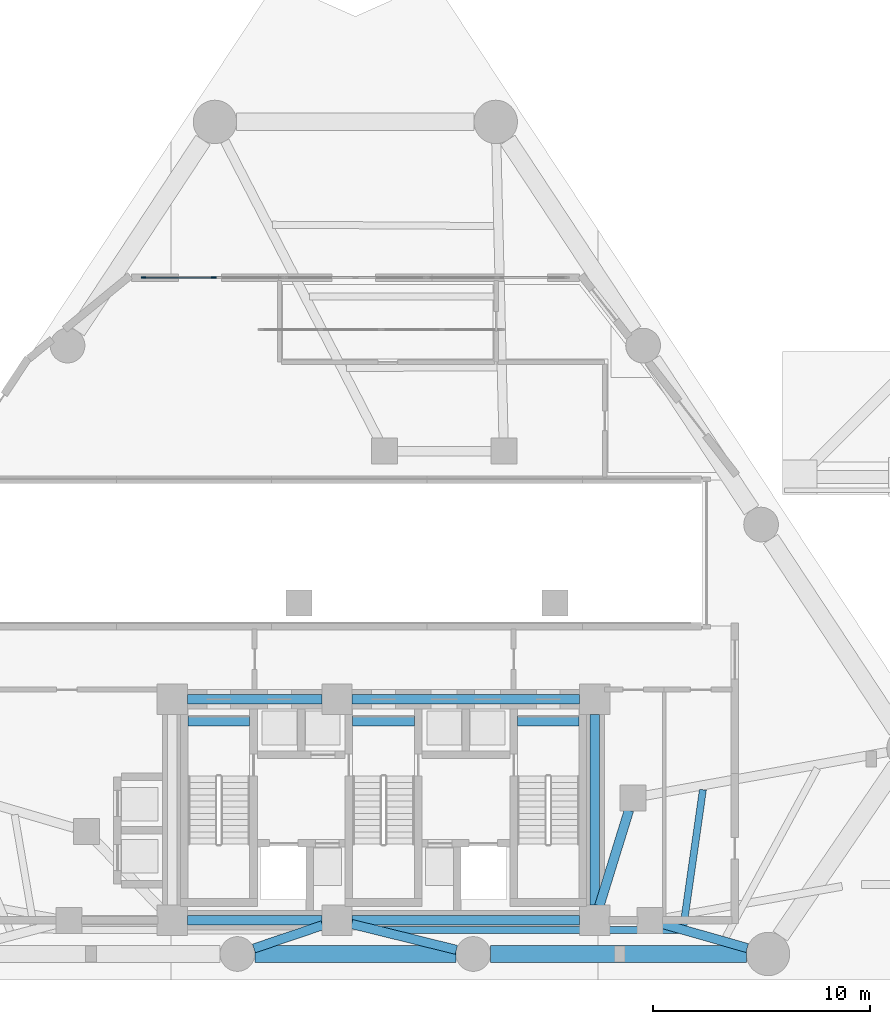
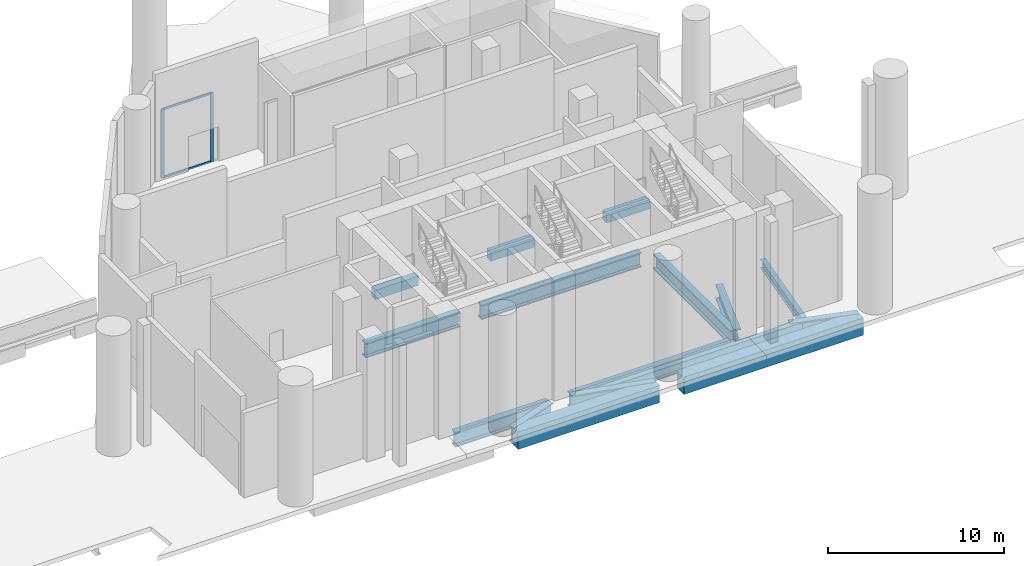
# One storey, part 2 of 12: 16 beams, 4 members, 1 element without a shape of its own.
"""IFC4 building model written with IfcOpenShell, lengths in metres."""

from ifc_helpers import new_model, si_unit, direction, frame, origin, origin_2d, place, context, subcontext, project, spatial, rectangle, i_section, extrude, material, layer, layer_set, material_profile, profile_set, type_object, element, aggregate, save


model = new_model("IFC4")

# Units and contexts
model_context = context("Model", 3, precision=1e-05, world=origin(), true_north=direction((0.0, 1.0)))
body_context = subcontext(model_context, "Body", "Model", "MODEL_VIEW")
ifc_project = project(units=[si_unit("LENGTHUNIT", "METRE"), si_unit("AREAUNIT", "SQUARE_METRE"), si_unit("VOLUMEUNIT", "CUBIC_METRE"), si_unit("PLANEANGLEUNIT", "RADIAN"), si_unit("MASSUNIT", "GRAM", prefix="KILO")], contexts=[model_context])

# Site, building, storey
site_placement = place(None, origin())
site = spatial("IfcSite", under=ifc_project, at=site_placement, CompositionType="ELEMENT")
building_placement = place(site_placement, origin())
building = spatial("IfcBuilding", under=site, at=building_placement, Name="Almagre Mirador Tower", CompositionType="ELEMENT")
storey_placement = place(building_placement, origin())
storey = spatial("IfcBuildingStorey", under=building, at=storey_placement, Name="L00", CompositionType="ELEMENT", Elevation=0.0)

# Beams
ifc_material_1 = material(Name="Steel ASTM A992 Grade 50", Category="steel")
ifc_material_profile_1 = material_profile(ifc_material_1, i_section(OverallWidth=0.323974609375, OverallDepth=0.611083984375, WebThickness=0.0126953125, FlangeThickness=0.01904296875, FilletRadius=0.02001953125, at=origin_2d()), Name="W24X104")
ifc_profile_set_1 = profile_set([ifc_material_profile_1], Name="Steel ASTM A992 Grade 50")
beam_type_1 = type_object("IfcBeamType", Name="BM-JST-W24X104", PredefinedType="JOIST", material=ifc_profile_set_1)
beam_1_placement = place(storey_placement, frame((37.20166015625, 4.096923828125, -0.60546875), z_axis=(0.99999877032, 0.001568234162, 0.0), x_axis=(-0.001568234162, 0.99999877032, 0.0)))
element("IfcBeam", 1, at=beam_1_placement, inside=storey, type_object=beam_type_1, Name="L00 secondary floor joist PC03-PC04.3", PredefinedType="JOIST", context=body_context, shape_type="SweptSolid", body=[
    extrude(i_section(OverallWidth=0.323974609375, OverallDepth=0.611083984375, WebThickness=0.0126953125, FlangeThickness=0.01904296875, FilletRadius=0.02001953125, at=origin_2d()), origin(), (0.0, 0.0, 1.0), 13.69970703125),
])
beam_2_placement = place(storey_placement, frame((51.143310546875, 4.32861328125, -0.60546875), z_axis=(0.141226451712, 0.989977317587, 0.0), x_axis=(-0.989977317587, 0.141226451712, 0.0)))
element("IfcBeam", 2, at=beam_2_placement, inside=storey, type_object=beam_type_1, Name="L00 secondary floor joist PC04-PC05.3", PredefinedType="JOIST", context=body_context, shape_type="SweptSolid", body=[
    extrude(i_section(OverallWidth=0.323974609375, OverallDepth=0.611083984375, WebThickness=0.0126953125, FlangeThickness=0.01904296875, FilletRadius=0.02001953125, at=origin_2d()), origin(), (0.0, 0.0, 1.0), 6.313232421875),
])
ifc_material_2 = material(Name="Precast concrete C50/60", Category="concrete")
ifc_material_profile_2 = material_profile(ifc_material_2, rectangle(XDim=0.800048828125, YDim=1.199951171875, at=origin_2d()), Name="RC800X1200")
ifc_profile_set_2 = profile_set([ifc_material_profile_2], Name="Precast concrete C50/60")
beam_type_2 = type_object("IfcBeamType", Name="BM-SPN-RC800X1200", PredefinedType="SPANDREL", material=ifc_profile_set_2)
beam_3_placement = place(storey_placement, frame((31.360107421875, 3.0, -0.89990234375), z_axis=(1.0, 0.0, 0.0), x_axis=(0.0, 1.0, 0.0)))
element("IfcBeam", 3, at=beam_3_placement, inside=storey, type_object=beam_type_2, Name="L00 perimeter spandrel beam PC02-PC03", PredefinedType="SPANDREL", context=body_context, shape_type="SweptSolid", body=[
    extrude(rectangle(XDim=0.800048828125, YDim=1.199951171875, at=origin_2d()), origin(), (0.0, 0.0, 1.0), 9.27978515625),
])
beam_4_placement = place(storey_placement, frame((42.239990234375, 3.0, -0.89990234375), z_axis=(1.0, 0.0, 0.0), x_axis=(0.0, 1.0, 0.0)))
element("IfcBeam", 4, at=beam_4_placement, inside=storey, type_object=beam_type_2, Name="L00 perimeter spandrel beam PC03-PC04", PredefinedType="SPANDREL", context=body_context, shape_type="SweptSolid", body=[
    extrude(rectangle(XDim=0.800048828125, YDim=1.199951171875, at=origin_2d()), origin(), (0.0, 0.0, 1.0), 11.800048828125),
])
ifc_material_3 = material(Name="Steel ASTM A992 Grade 50", Category="steel")
ifc_material_profile_3 = material_profile(ifc_material_3, i_section(OverallWidth=0.43701171875, OverallDepth=1.010986328125, WebThickness=0.041015625, FlangeThickness=0.073974609375, FilletRadius=0.028076171875, at=origin_2d()), Name="W36X529")
ifc_profile_set_3 = profile_set([ifc_material_profile_3], Name="Steel ASTM A992 Grade 50")
beam_type_3 = type_object("IfcBeamType", Name="BM-STL-W36X529", PredefinedType="BEAM", material=ifc_profile_set_3)
beam_5_placement = place(storey_placement, frame((28.25, 4.550048828125, -0.805419921875), z_axis=(1.0, 0.0, 0.0), x_axis=(0.0, 1.0, 0.0)))
element("IfcBeam", 5, at=beam_5_placement, inside=storey, type_object=beam_type_3, Name="L00 core tie girder CC1-CC2", PredefinedType="BEAM", context=body_context, shape_type="SweptSolid", body=[
    extrude(i_section(OverallWidth=0.43701171875, OverallDepth=1.010986328125, WebThickness=0.041015625, FlangeThickness=0.073974609375, FilletRadius=0.028076171875, at=origin_2d()), origin(), (0.0, 0.0, 1.0), 6.199951171875),
])
beam_6_placement = place(storey_placement, frame((35.85009765625, 4.550048828125, -0.805419921875), z_axis=(1.0, 0.0, 0.0), x_axis=(0.0, 1.0, 0.0)))
element("IfcBeam", 6, at=beam_6_placement, inside=storey, type_object=beam_type_3, Name="L00 core tie girder CC2-CC3", PredefinedType="BEAM", context=body_context, shape_type="SweptSolid", body=[
    extrude(i_section(OverallWidth=0.43701171875, OverallDepth=1.010986328125, WebThickness=0.041015625, FlangeThickness=0.073974609375, FilletRadius=0.028076171875, at=origin_2d()), origin(), (0.0, 0.0, 1.0), 10.5),
])
beam_7_placement = place(storey_placement, frame((28.25, 14.75, -0.805419921875), z_axis=(1.0, 0.0, 0.0), x_axis=(0.0, 1.0, 0.0)))
element("IfcBeam", 7, at=beam_7_placement, inside=storey, type_object=beam_type_3, Name="L00 core tie girder CC4-CC5", PredefinedType="BEAM", context=body_context, shape_type="SweptSolid", body=[
    extrude(i_section(OverallWidth=0.43701171875, OverallDepth=1.010986328125, WebThickness=0.041015625, FlangeThickness=0.073974609375, FilletRadius=0.028076171875, at=origin_2d()), origin(), (0.0, 0.0, 1.0), 6.199951171875),
])
beam_8_placement = place(storey_placement, frame((35.85009765625, 14.75, -0.805419921875), z_axis=(1.0, 0.0, 0.0), x_axis=(0.0, 1.0, 0.0)))
element("IfcBeam", 8, at=beam_8_placement, inside=storey, type_object=beam_type_3, Name="L00 core tie girder CC5-CC6", PredefinedType="BEAM", context=body_context, shape_type="SweptSolid", body=[
    extrude(i_section(OverallWidth=0.43701171875, OverallDepth=1.010986328125, WebThickness=0.041015625, FlangeThickness=0.073974609375, FilletRadius=0.028076171875, at=origin_2d()), origin(), (0.0, 0.0, 1.0), 10.5),
])
beam_9_placement = place(storey_placement, frame((47.050048828125, 5.25, -0.805419921875), z_axis=(0.0, 1.0, 0.0), x_axis=(-1.0, 0.0, 0.0)))
element("IfcBeam", 9, at=beam_9_placement, inside=storey, type_object=beam_type_3, Name="L00 core tie girder CC3-CC6", PredefinedType="BEAM", context=body_context, shape_type="SweptSolid", body=[
    extrude(i_section(OverallWidth=0.43701171875, OverallDepth=1.010986328125, WebThickness=0.041015625, FlangeThickness=0.073974609375, FilletRadius=0.028076171875, at=origin_2d()), origin(), (0.0, 0.0, 1.0), 8.800048828125),
])
beam_10_placement = place(storey_placement, frame((48.62255859375, 9.626953125, -0.805419921875), z_axis=(-0.295888328273, -0.955222538046, 0.0), x_axis=(0.955222538046, -0.295888328273, 0.0)))
element("IfcBeam", 10, at=beam_10_placement, inside=storey, type_object=beam_type_3, Name="L00 core tie girder MC3-CC3", PredefinedType="BEAM", context=body_context, shape_type="SweptSolid", body=[
    extrude(i_section(OverallWidth=0.43701171875, OverallDepth=1.010986328125, WebThickness=0.041015625, FlangeThickness=0.073974609375, FilletRadius=0.028076171875, at=origin_2d()), origin(), (0.0, 0.0, 1.0), 4.61474609375),
])
ifc_material_4 = material(Name="Steel ASTM A913 Grade 65", Category="steel")
ifc_material_profile_4 = material_profile(ifc_material_4, i_section(OverallWidth=0.424072265625, OverallDepth=1.092041015625, WebThickness=0.04541015625, FlangeThickness=0.08203125, FilletRadius=0.030029296875, at=origin_2d()), Name="W40X593")
ifc_profile_set_4 = profile_set([ifc_material_profile_4], Name="Steel ASTM A913 Grade 65")
beam_type_4 = type_object("IfcBeamType", Name="BM-STL-W40X593", PredefinedType="BEAM", material=ifc_profile_set_4)
beam_11_placement = place(storey_placement, frame((31.318115234375, 3.256103515625, -0.845947265625), z_axis=(0.947457161142, 0.319882678182, 0.0), x_axis=(-0.319882678182, 0.947457161142, 0.0)))
element("IfcBeam", 11, at=beam_11_placement, inside=storey, type_object=beam_type_4, Name="L00 radial floor girder PC02-CC2", PredefinedType="BEAM", context=body_context, shape_type="SweptSolid", body=[
    extrude(i_section(OverallWidth=0.424072265625, OverallDepth=1.092041015625, WebThickness=0.04541015625, FlangeThickness=0.08203125, FilletRadius=0.030029296875, at=origin_2d()), origin(), (0.0, 0.0, 1.0), 3.344482421875),
])
beam_12_placement = place(storey_placement, frame((40.6630859375, 3.19140625, -0.845947265625), z_axis=(-0.970950577001, 0.239280122497, 0.0), x_axis=(-0.239280122497, -0.970950577001, 0.0)))
element("IfcBeam", 12, at=beam_12_placement, inside=storey, type_object=beam_type_4, Name="L00 radial floor girder PC03-CC2", PredefinedType="BEAM", context=body_context, shape_type="SweptSolid", body=[
    extrude(i_section(OverallWidth=0.424072265625, OverallDepth=1.092041015625, WebThickness=0.04541015625, FlangeThickness=0.08203125, FilletRadius=0.030029296875, at=origin_2d()), origin(), (0.0, 0.0, 1.0), 4.97802734375),
])
beam_13_placement = place(storey_placement, frame((54.078369140625, 3.27392578125, -0.845947265625), z_axis=(-0.961725811742, 0.274013618327, 0.0), x_axis=(-0.274013618327, -0.961725811742, 0.0)))
element("IfcBeam", 13, at=beam_13_placement, inside=storey, type_object=beam_type_4, Name="L00 radial floor girder PC04-MC2", PredefinedType="BEAM", context=body_context, shape_type="SweptSolid", body=[
    extrude(i_section(OverallWidth=0.424072265625, OverallDepth=1.092041015625, WebThickness=0.04541015625, FlangeThickness=0.08203125, FilletRadius=0.030029296875, at=origin_2d()), origin(), (0.0, 0.0, 1.0), 4.056640625),
])
ifc_material_5 = material(Name="Concrete C60/75", Category="concrete")
ifc_material_profile_5 = material_profile(ifc_material_5, rectangle(XDim=0.449951171875, YDim=0.64990234375, at=origin_2d()), Name="RC450X650")
ifc_profile_set_5 = profile_set([ifc_material_profile_5], Name="Concrete C60/75")
beam_type_5 = type_object("IfcBeamType", Name="BM-TRM-RC450X650", PredefinedType="BEAM", material=ifc_profile_set_5)
for number, where, z_axis, x_axis, name in (
    (14, (28.27490234375, 13.75, 3.675048828125), (1.0, 0.0, 0.0), (0.0, 1.0, 0.0), "L00 ST-1 intermediate landing trimmer beam"),
    (15, (35.875, 13.75, 3.675048828125), (1.0, 0.0, 0.0), (0.0, 1.0, 0.0), "L00 ST-2 intermediate landing trimmer beam"),
):
    element("IfcBeam", number, at=place(storey_placement, frame(where, z_axis=z_axis, x_axis=x_axis)), inside=storey, type_object=beam_type_5, Name=name, PredefinedType="BEAM", context=body_context, shape_type="SweptSolid", body=[
        extrude(rectangle(XDim=0.449951171875, YDim=0.64990234375, at=origin_2d()), origin(), (0.0, 0.0, 1.0), 2.85009765625),
    ])
beam_14_placement = place(storey_placement, frame((43.47509765625, 13.75, 3.675048828125), z_axis=(1.0, 0.0, 0.0), x_axis=(0.0, 1.0, 0.0)))
element("IfcBeam", 16, at=beam_14_placement, inside=storey, type_object=beam_type_5, Name="L00 ST-3 intermediate landing trimmer beam", PredefinedType="BEAM", context=body_context, shape_type="SweptSolid", body=[
    extrude(rectangle(XDim=0.449951171875, YDim=0.64990234375, at=origin_2d()), origin(), (0.0, 0.0, 1.0), 2.849853515625),
])

# Curtain wall, members
ifc_material_6 = material(Name="Black anodized aluminium", Category="aluminium")
ifc_layer = layer(ifc_material_6, 0.219970703125)
ifc_layer_set = layer_set([ifc_layer], Name="Black anodized aluminium")
curtain_wall_type = type_object("IfcCurtainWallType", Name="CW-POD-SYS", PredefinedType="NOTDEFINED", material=ifc_layer_set)
curtain_wall_placement = place(storey_placement, origin())
curtain_wall = element("IfcCurtainWall", 17, at=curtain_wall_placement, inside=storey, type_object=curtain_wall_type, Name="L00 lobby curtain wall 2.1", PredefinedType="NOTDEFINED")
ifc_material_7 = material(Name="Black anodized aluminium", Category="aluminium")
ifc_material_profile_6 = material_profile(ifc_material_7, rectangle(XDim=0.070068359375, YDim=0.2099609375, at=origin_2d()), Name="CWM70X210")
ifc_profile_set_6 = profile_set([ifc_material_profile_6], Name="Black anodized aluminium")
member_type_1 = type_object("IfcMemberType", Name="MBR-CWM70X210", PredefinedType="MULLION", material=ifc_profile_set_6)
member_1_placement = place(storey_placement, frame((26.235107421875, 34.199951171875, 0.0), z_axis=(0.0, 0.0, 1.0), x_axis=(0.0, 1.0, 0.0)))
member_1 = element("IfcMember", 18, at=member_1_placement, type_object=member_type_1, Name="CW-1 mullion 1", PredefinedType="MULLION", context=body_context, shape_type="SweptSolid", body=[
    extrude(rectangle(XDim=0.070068359375, YDim=0.2099609375, at=origin_2d()), origin(), (0.0, 0.0, 1.0), 4.800048828125),
])
member_2_placement = place(storey_placement, frame((29.466552734375, 34.199951171875, 0.0), z_axis=(0.0, 0.0, 1.0), x_axis=(0.0, 1.0, 0.0)))
member_2 = element("IfcMember", 19, at=member_2_placement, type_object=member_type_1, Name="CW-1 mullion 2", PredefinedType="MULLION", context=body_context, shape_type="SweptSolid", body=[
    extrude(rectangle(XDim=0.070068359375, YDim=0.2099609375, at=origin_2d()), origin(), (0.0, 0.0, 1.0), 4.800048828125),
])
ifc_material_8 = material(Name="Black anodized aluminium", Category="aluminium")
ifc_material_profile_7 = material_profile(ifc_material_8, rectangle(XDim=0.06494140625, YDim=0.14990234375, at=origin_2d()), Name="CWT65X150")
ifc_profile_set_7 = profile_set([ifc_material_profile_7], Name="Black anodized aluminium")
member_type_2 = type_object("IfcMemberType", Name="MBR-CWT65X150", PredefinedType="USERDEFINED", material=ifc_profile_set_7)
member_3_placement = place(storey_placement, frame((26.27001953125, 34.199951171875, 0.032470703125), z_axis=(1.0, 0.0, 0.0), x_axis=(0.0, 1.0, 0.0)))
member_3 = element("IfcMember", 20, at=member_3_placement, type_object=member_type_2, Name="CW-1 transom 1.1", ObjectType="TRANSOM", PredefinedType="USERDEFINED", context=body_context, shape_type="SweptSolid", body=[
    extrude(rectangle(XDim=0.06494140625, YDim=0.14990234375, at=origin_2d()), origin(), (0.0, 0.0, 1.0), 3.16162109375),
])
member_4_placement = place(storey_placement, frame((26.27001953125, 34.199951171875, 4.767578125), z_axis=(1.0, 0.0, 0.0), x_axis=(0.0, 1.0, 0.0)))
member_4 = element("IfcMember", 21, at=member_4_placement, type_object=member_type_2, Name="CW-1 transom 1.2", ObjectType="TRANSOM", PredefinedType="USERDEFINED", context=body_context, shape_type="SweptSolid", body=[
    extrude(rectangle(XDim=0.06494140625, YDim=0.14990234375, at=origin_2d()), origin(), (0.0, 0.0, 1.0), 3.16162109375),
])
aggregate(curtain_wall, [member_1, member_2, member_3, member_4])

save(model, "model.ifc")
